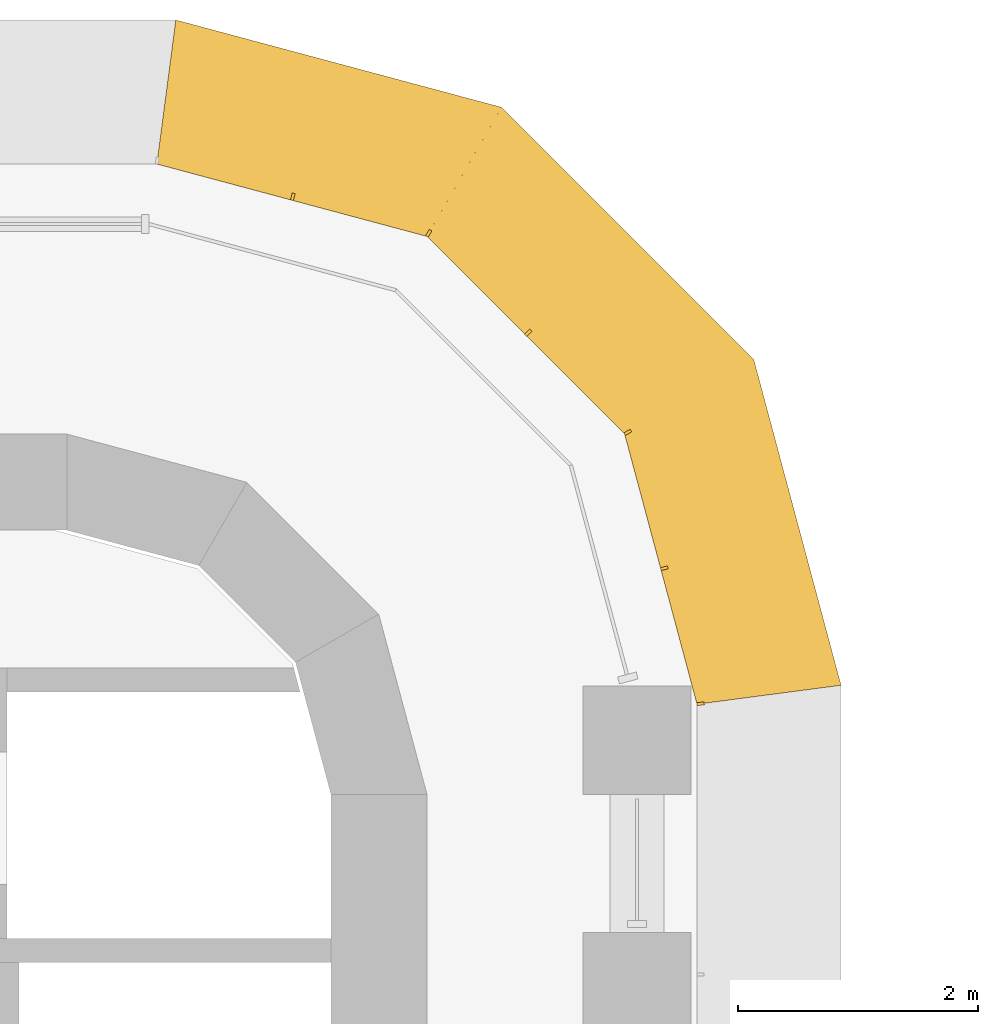
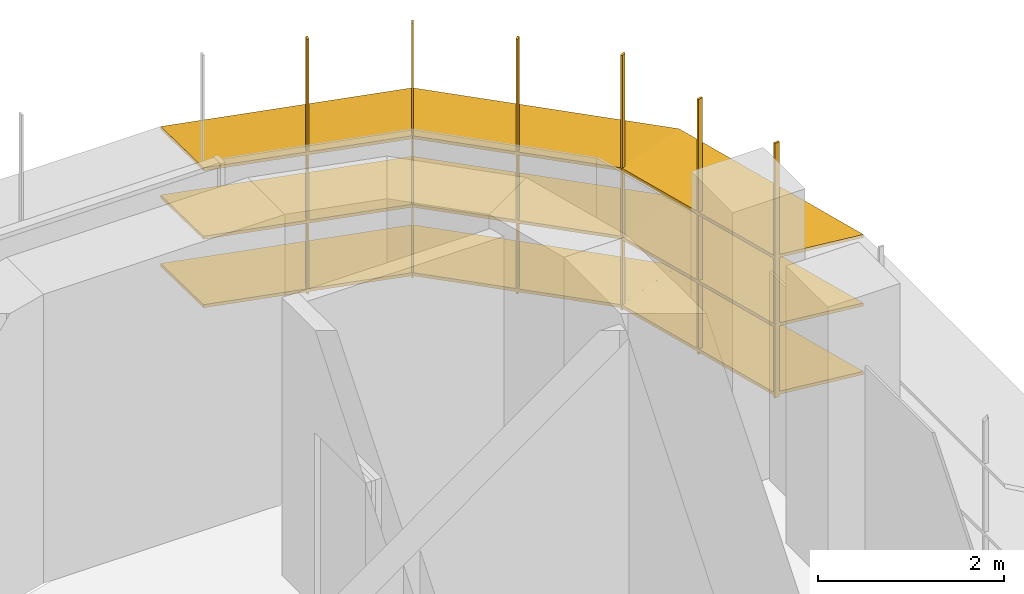
# One storey, part 22 of 22: 1 shading device.
"""IFC4 building model written with IfcOpenShell, lengths in metres."""

from ifc_helpers import new_model, si_unit, direction, frame, origin, place, context, subcontext, project, spatial, polyline, outline, extrude, faceted_brep, source, transform, mapped, material, type_object, element, save


model = new_model("IFC4")

# Units and contexts
model_context = context("Model", 3, precision=1e-05, world=origin(), true_north=direction((0.0, 1.0)))
body_context = subcontext(model_context, "Body", "Model", "MODEL_VIEW")
ifc_project = project(units=[si_unit("LENGTHUNIT", "METRE"), si_unit("AREAUNIT", "SQUARE_METRE"), si_unit("VOLUMEUNIT", "CUBIC_METRE"), si_unit("PLANEANGLEUNIT", "RADIAN"), si_unit("MASSUNIT", "GRAM", prefix="KILO")], contexts=[model_context])

# Site, building, storey
site_placement = place(None, origin())
site = spatial("IfcSite", under=ifc_project, at=site_placement, CompositionType="ELEMENT")
building_placement = place(site_placement, origin())
building = spatial("IfcBuilding", under=site, at=building_placement, Name="Zarbagh Exchange Tower", CompositionType="ELEMENT")
storey_placement = place(building_placement, frame((0.0, 0.0, 113.199951171875)))
storey = spatial("IfcBuildingStorey", under=building, at=storey_placement, Name="L26", CompositionType="ELEMENT", Elevation=113.199951171875)

# Shading device
ifc_material = material(Name="Anodised aluminium blades and brackets", Category="aluminium")
shading_device_type = type_object("IfcShadingDeviceType", Name="SUNSHADE louvre band, 11.25 degree blades", PredefinedType="JALOUSIE", material=ifc_material)
shared_shape_1 = source(origin(), body_context, "Body", "Brep", [
    faceted_brep([(0.0, 0.0, 0.0), (0.0, 0.0, -0.040771484375), (-0.157958984375, -1.199951171875, -0.279541015625), (-0.157958984375, -1.199951171875, -0.23876953125), (2.65087890625, -1.199951171875, -0.23876953125), (2.65087890625, -1.199951171875, -0.279541015625), (2.329345703125, 0.0, -0.040771484375), (2.329345703125, 0.0, 0.0)], [[[0, 1, 2, 3]], [[4, 5, 6, 7]], [[0, 7, 6, 1]], [[1, 6, 5, 2]], [[2, 5, 4, 3]], [[3, 4, 7, 0]]]),
])
shared_shape_2 = source(origin(), body_context, "Body", "Brep", [
    faceted_brep([(0.0, 0.0, 0.0), (0.0, 0.0, -0.040771484375), (-0.321533203125, -1.199951171875, -0.279541015625), (-0.321533203125, -1.199951171875, -0.23876953125), (2.65087890625, -1.199951171875, -0.23876953125), (2.65087890625, -1.199951171875, -0.279541015625), (2.329345703125, 0.0, -0.040771484375), (2.329345703125, 0.0, 0.0)], [[[0, 1, 2, 3]], [[4, 5, 6, 7]], [[0, 7, 6, 1]], [[1, 6, 5, 2]], [[2, 5, 4, 3]], [[3, 4, 7, 0]]]),
])
shared_shape_3 = source(origin(), body_context, "Body", "Brep", [
    faceted_brep([(0.0, 0.0, 0.0), (0.0, 0.0, -0.040771484375), (-0.321533203125, -1.199951171875, -0.279541015625), (-0.321533203125, -1.199951171875, -0.23876953125), (2.4873046875, -1.199951171875, -0.23876953125), (2.4873046875, -1.199951171875, -0.279541015625), (2.329345703125, 0.0, -0.040771484375), (2.329345703125, 0.0, 0.0)], [[[0, 1, 2, 3]], [[4, 5, 6, 7]], [[0, 7, 6, 1]], [[1, 6, 5, 2]], [[2, 5, 4, 3]], [[3, 4, 7, 0]]]),
])
shared_shape_4 = source(origin(), body_context, "Body", "SweptSolid", [
    extrude(outline(polyline([(0.0, -0.012451171875), (0.06005859375, -0.012451171875), (0.06005859375, 0.012451171875), (0.0, 0.012451171875), (0.0, -0.012451171875)])), origin(), (0.0, 0.0, 1.0), 3.350830078125),
])
shading_device_placement = place(storey_placement, origin())
element("IfcShadingDevice", 1, at=shading_device_placement, inside=storey, type_object=shading_device_type, Name="SS26 sunshade band", PredefinedType="JALOUSIE", context=body_context, shape_type="MappedRepresentation", body=[
    mapped(shared_shape_1, transform((6.75, 27.0, 2.300048828125), x_axis=(-0.258824779902, 0.965924289636, 0.0), y_axis=(-0.965924289636, -0.258824779902, 0.0), z_axis=(0.0, 0.0, 1.0))),
    mapped(shared_shape_1, transform((6.75, 27.0, 1.400146484375), x_axis=(-0.258824779902, 0.965924289636, 0.0), y_axis=(-0.965924289636, -0.258824779902, 0.0), z_axis=(0.0, 0.0, 1.0))),
    mapped(shared_shape_1, transform((6.75, 27.0, 0.5), x_axis=(-0.258824779902, 0.965924289636, 0.0), y_axis=(-0.965924289636, -0.258824779902, 0.0), z_axis=(0.0, 0.0, 1.0))),
    mapped(shared_shape_2, transform((6.147216796875, 29.25, 2.300048828125), x_axis=(-0.707106781187, 0.707106781187, 0.0), y_axis=(-0.707106781187, -0.707106781187, 0.0), z_axis=(0.0, 0.0, 1.0))),
    mapped(shared_shape_2, transform((6.147216796875, 29.25, 1.400146484375), x_axis=(-0.707106781187, 0.707106781187, 0.0), y_axis=(-0.707106781187, -0.707106781187, 0.0), z_axis=(0.0, 0.0, 1.0))),
    mapped(shared_shape_2, transform((6.147216796875, 29.25, 0.5), x_axis=(-0.707106781187, 0.707106781187, 0.0), y_axis=(-0.707106781187, -0.707106781187, 0.0), z_axis=(0.0, 0.0, 1.0))),
    mapped(shared_shape_3, transform((4.5, 30.897216796875, 2.300048828125), x_axis=(-0.965924289636, 0.258824779902, 0.0), y_axis=(-0.258824779902, -0.965924289636, 0.0), z_axis=(0.0, 0.0, 1.0))),
    mapped(shared_shape_3, transform((4.5, 30.897216796875, 1.400146484375), x_axis=(-0.965924289636, 0.258824779902, 0.0), y_axis=(-0.258824779902, -0.965924289636, 0.0), z_axis=(0.0, 0.0, 1.0))),
    mapped(shared_shape_3, transform((4.5, 30.897216796875, 0.5), x_axis=(-0.965924289636, 0.258824779902, 0.0), y_axis=(-0.258824779902, -0.965924289636, 0.0), z_axis=(0.0, 0.0, 1.0))),
    mapped(shared_shape_4, transform((6.75, 27.0, 0.42919921875), x_axis=(0.991444457092, 0.130529263012, 0.0), y_axis=(-0.130529263012, 0.991444457092, 0.0), z_axis=(0.0, 0.0, 1.0))),
    mapped(shared_shape_4, transform((6.448486328125, 28.125, 0.42919921875), x_axis=(0.96592421511, 0.258825058029, 0.0), y_axis=(-0.258825058029, 0.96592421511, 0.0), z_axis=(0.0, 0.0, 1.0))),
    mapped(shared_shape_4, transform((6.147216796875, 29.25, 0.42919921875), x_axis=(0.866023812018, 0.50000275701, 0.0), y_axis=(-0.50000275701, 0.866023812018, 0.0), z_axis=(0.0, 0.0, 1.0))),
    mapped(shared_shape_4, transform((5.323486328125, 30.073486328125, 0.42919921875), x_axis=(0.707106781187, 0.707106781187, 0.0), y_axis=(-0.707106781187, 0.707106781187, 0.0), z_axis=(0.0, 0.0, 1.0))),
    mapped(shared_shape_4, transform((4.5, 30.897216796875, 0.42919921875), x_axis=(0.50000275701, 0.866023812018, 0.0), y_axis=(-0.866023812018, 0.50000275701, 0.0), z_axis=(0.0, 0.0, 1.0))),
    mapped(shared_shape_4, transform((3.375, 31.198486328125, 0.42919921875), x_axis=(0.258825058029, 0.96592421511, 0.0), y_axis=(-0.96592421511, 0.258825058029, 0.0), z_axis=(0.0, 0.0, 1.0))),
])

save(model, "model.ifc")
